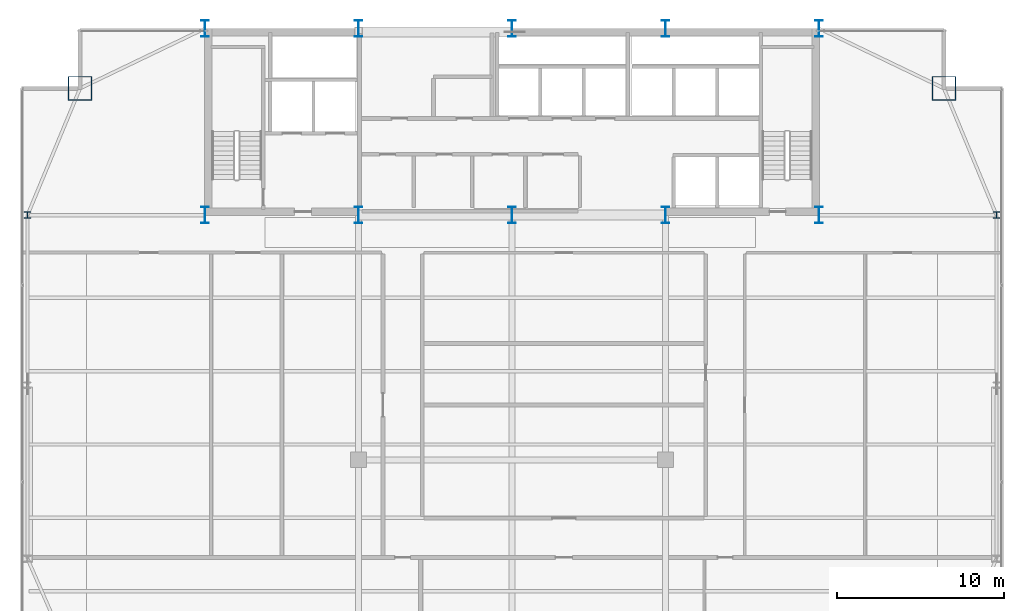
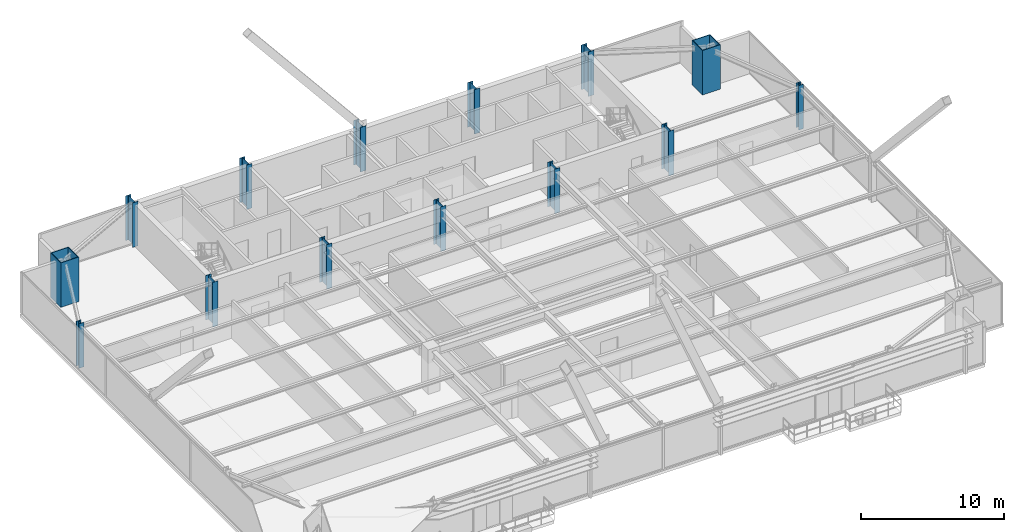
# One storey, part 2 of 37: 14 columns.
"""IFC4 building model written with IfcOpenShell, lengths in metres."""

import ifcopenshell
import ifcopenshell.guid

model = None  # the IFC model being written
_history = None  # IfcOwnerHistory: only IFC2X3 demands one
_inside = {}  # id of a spatial element -> (the spatial element, [elements in it])
_under = {}  # id of a project, library or spatial element -> (it, [spatial elements below it])
_declared = {}  # id of a project -> (the project, [libraries it declares])
_typed = {}  # id of a type object -> (the type object, [elements of that type])
_made_of = {}  # id of a material, layer set ... -> (it, [elements and type objects made of it])


def new_model(schema):
    """Start an empty IFC model of exactly this schema.

    Asked for "IFC4X3", IfcOpenShell would pick the latest addendum, in which some entities
    have other attributes; the version numbers below select the first issue.
    IFC2X3 requires an IfcOwnerHistory on every rooted entity: one is made here for all.
    """
    global model, _history
    if schema == "IFC4X3":
        model = ifcopenshell.file(schema_version=(4, 3, 0, 0))
    else:
        model = ifcopenshell.file(schema=schema)
    _inside.clear()
    _under.clear()
    _declared.clear()
    _typed.clear()
    _made_of.clear()
    _history = None
    if model.schema == "IFC2X3":
        org = make("IfcOrganization", Name="unknown")
        user = make(
            "IfcPersonAndOrganization",
            ThePerson=make("IfcPerson", FamilyName="unknown"),
            TheOrganization=org,
        )
        app = make(
            "IfcApplication",
            ApplicationDeveloper=org,
            Version="unknown",
            ApplicationFullName="unknown",
            ApplicationIdentifier="unknown",
        )
        _history = make(
            "IfcOwnerHistory",
            OwningUser=user,
            OwningApplication=app,
            ChangeAction="ADDED",
            CreationDate=0,
        )
    return model


def make(cls, **values):
    """One entity of the class cls with the attributes given. An attribute that is None is left unset."""
    return model.create_entity(
        cls, **{name: value for name, value in values.items() if value is not None}
    )


def rooted(cls, **values):
    """An entity with a GlobalId (a new one), such as an element, a storey or a relation."""
    return make(cls, GlobalId=ifcopenshell.guid.new(), OwnerHistory=_history, **values)


def si_unit(unit_type, name, prefix=None):
    """IfcSIUnit, for example si_unit("LENGTHUNIT", "METRE", prefix="MILLI")."""
    return make("IfcSIUnit", UnitType=unit_type, Prefix=prefix, Name=name)


def assignment(units):
    """IfcUnitAssignment: the units of a project."""
    return None if units is None else make("IfcUnitAssignment", Units=units)


def point(xyz):
    """IfcCartesianPoint."""
    return None if xyz is None else make("IfcCartesianPoint", Coordinates=xyz)


def direction(xyz):
    """IfcDirection."""
    return None if xyz is None else make("IfcDirection", DirectionRatios=xyz)


def frame(location, z_axis=None, x_axis=None):
    """IfcAxis2Placement3D, a coordinate frame: its origin and axes. An axis left out is left unset."""
    return make(
        "IfcAxis2Placement3D",
        Location=point(location),
        Axis=direction(z_axis),
        RefDirection=direction(x_axis),
    )


def frame_2d(location, x_axis=None):
    """IfcAxis2Placement2D, a coordinate frame in the plane: its origin and x axis."""
    return make(
        "IfcAxis2Placement2D", Location=point(location), RefDirection=direction(x_axis)
    )


def origin():
    """The frame at (0, 0, 0) with its axes left unset."""
    return frame((0.0, 0.0, 0.0))


def origin_2d():
    """The frame at (0, 0) in the plane with its x axis left unset."""
    return frame_2d((0.0, 0.0))


def place(relative_to, where):
    """IfcLocalPlacement: puts the frame where relative to a parent placement (None: the world)."""
    return make(
        "IfcLocalPlacement", PlacementRelTo=relative_to, RelativePlacement=where
    )


def context(
    kind, dimensions, precision=None, world=None, true_north=None, identifier=None
):
    """IfcGeometricRepresentationContext, for example the 3D "Model" context."""
    return make(
        "IfcGeometricRepresentationContext",
        ContextIdentifier=identifier,
        ContextType=kind,
        CoordinateSpaceDimension=dimensions,
        Precision=precision,
        WorldCoordinateSystem=world,
        TrueNorth=true_north,
    )


def subcontext(parent, identifier, kind, view, scale=None):
    """IfcGeometricRepresentationSubContext, for example "Body" below "Model"."""
    return make(
        "IfcGeometricRepresentationSubContext",
        ContextIdentifier=identifier,
        ContextType=kind,
        ParentContext=parent,
        TargetScale=scale,
        TargetView=view,
    )


def project(units=None, contexts=None):
    """IfcProject with its units and contexts."""
    return rooted(
        "IfcProject",
        Name="project",
        RepresentationContexts=contexts,
        UnitsInContext=assignment(units),
    )


def spatial(cls, under=None, at=None, **own):
    """A site, building, storey or space (cls), placed at a placement, below another one or the project."""
    s = rooted(cls, ObjectPlacement=at, **own)
    if under is not None:
        _under.setdefault(under.id(), (under, []))[1].append(s)
    return s


def profile(cls, at=None, kind="AREA", **sizes):
    """A parametric profile (cls). Its sizes go by their IFC names, for example OverallWidth=200.0."""
    return make(cls, ProfileType=kind, Position=at, **sizes)


def hollow_rectangle(**sizes):
    """IfcRectangleHollowProfileDef."""
    return profile("IfcRectangleHollowProfileDef", **sizes)


def i_section(**sizes):
    """IfcIShapeProfileDef."""
    return profile("IfcIShapeProfileDef", **sizes)


def extrude(swept, where, along, depth):
    """IfcExtrudedAreaSolid: the profile swept, set in the frame where, extruded along a direction by depth."""
    return make(
        "IfcExtrudedAreaSolid",
        SweptArea=swept,
        Position=where,
        ExtrudedDirection=direction(along),
        Depth=depth,
    )


def shape(context_of_items, identifier, shape_type, items):
    """IfcShapeRepresentation: the items that make up one representation, for example the "Body"."""
    return make(
        "IfcShapeRepresentation",
        ContextOfItems=context_of_items,
        RepresentationIdentifier=identifier,
        RepresentationType=shape_type,
        Items=items,
    )


def source(mapping_origin, context_of_items, identifier, shape_type, items):
    """IfcRepresentationMap: a shape defined once, which mapped items show again and again."""
    return make(
        "IfcRepresentationMap",
        MappingOrigin=mapping_origin,
        MappedRepresentation=shape(context_of_items, identifier, shape_type, items),
    )


def transform(
    local_origin,
    x_axis=None,
    y_axis=None,
    z_axis=None,
    scale=None,
    scale2=None,
    scale3=None,
    uniform=True,
):
    """IfcCartesianTransformationOperator3D, or its non-uniform kind. x_axis, y_axis, z_axis: its Axis1, 2, 3."""
    if uniform:
        return make(
            "IfcCartesianTransformationOperator3D",
            Axis1=direction(x_axis),
            Axis2=direction(y_axis),
            LocalOrigin=point(local_origin),
            Scale=scale,
            Axis3=direction(z_axis),
        )
    return make(
        "IfcCartesianTransformationOperator3DnonUniform",
        Axis1=direction(x_axis),
        Axis2=direction(y_axis),
        LocalOrigin=point(local_origin),
        Scale=scale,
        Axis3=direction(z_axis),
        Scale2=scale2,
        Scale3=scale3,
    )


def mapped(mapping_source, mapping_target):
    """IfcMappedItem: shows the shape of a source again, moved by a transform."""
    return make(
        "IfcMappedItem", MappingSource=mapping_source, MappingTarget=mapping_target
    )


def material(Name=None, Category=None):
    """IfcMaterial."""
    return make("IfcMaterial", Name=Name, Category=Category)


def material_profile(
    of_material, cross_section, Name=None, Category=None, Priority=None
):
    """IfcMaterialProfile: a cross section and its material."""
    return make(
        "IfcMaterialProfile",
        Name=Name,
        Material=of_material,
        Profile=cross_section,
        Priority=Priority,
        Category=Category,
    )


def profile_set(profiles, Name=None, composite=None):
    """IfcMaterialProfileSet."""
    return make(
        "IfcMaterialProfileSet",
        Name=Name,
        MaterialProfiles=profiles,
        CompositeProfile=composite,
    )


def made_of(thing, what):
    """Note that an element or type object is made of a material, layer set ...; save() writes the relation."""
    if what is not None:
        _made_of.setdefault(what.id(), (what, []))[1].append(thing)
    return thing


def type_object(cls, material=None, **own):
    """A type object (cls), such as IfcWallType, which elements share."""
    return made_of(rooted(cls, **own), material)


def type_shapes(of_type, sources):
    """Give a type object the sources (RepresentationMaps) that its elements show as mapped items."""
    of_type.RepresentationMaps = sources


def element(
    cls,
    number,
    at=None,
    inside=None,
    cuts=None,
    type_object=None,
    material=None,
    context=None,
    identifier="Body",
    shape_type=None,
    held_by="IfcProductDefinitionShape",
    body=None,
    shapes=None,
    **own,
):
    """One element of the class cls, such as IfcWall. Its Tag is "e" and its number.

    at: its placement. inside: the storey or other place that contains it. cuts: it is an
    opening in that element (IfcRelVoidsElement). A single representation is given by context,
    identifier, shape_type and body (its items); several are given by shapes. held_by: the class
    of the entity that holds the representations. save() writes the other relations.
    """
    e = rooted(cls, Tag="e%d" % number, ObjectPlacement=at, **own)
    if body is not None:
        shapes = [shape(context, identifier, shape_type, body)]
    if shapes is not None:
        e.Representation = make(held_by, Representations=shapes)
    if inside is not None:
        _inside.setdefault(inside.id(), (inside, []))[1].append(e)
    if cuts is not None:
        rooted(
            "IfcRelVoidsElement", RelatingBuildingElement=cuts, RelatedOpeningElement=e
        )
    if type_object is not None:
        _typed.setdefault(type_object.id(), (type_object, []))[1].append(e)
    return made_of(e, material)


def aggregate(whole, parts):
    """IfcRelAggregates: a whole, such as a stair, and the parts it consists of."""
    return rooted("IfcRelAggregates", RelatingObject=whole, RelatedObjects=parts)


def save(model, path):
    """Write the relations noted so far, then the file.

    IfcRelAggregates (storeys below a building ...), IfcRelContainedInSpatialStructure (elements
    in a storey), IfcRelDefinesByType, IfcRelAssociatesMaterial and IfcRelDeclares: one each for
    every whole, place, type object, material and project.
    """
    for whole, parts in _under.values():
        aggregate(whole, parts)
    for where, things in _inside.values():
        rooted(
            "IfcRelContainedInSpatialStructure",
            RelatedElements=things,
            RelatingStructure=where,
        )
    for kind, things in _typed.values():
        rooted("IfcRelDefinesByType", RelatedObjects=things, RelatingType=kind)
    for what, things in _made_of.values():
        rooted("IfcRelAssociatesMaterial", RelatedObjects=things, RelatingMaterial=what)
    for by, libraries in _declared.values():
        rooted("IfcRelDeclares", RelatingContext=by, RelatedDefinitions=libraries)
    model.write(path)


model = new_model("IFC4")

# Units and contexts
model_context = context("Model", 3, precision=1e-05, world=origin(), true_north=direction((0.0, 1.0)))
body_context = subcontext(model_context, "Body", "Model", "MODEL_VIEW")
ifc_project = project(units=[si_unit("LENGTHUNIT", "METRE"), si_unit("AREAUNIT", "SQUARE_METRE"), si_unit("VOLUMEUNIT", "CUBIC_METRE"), si_unit("PLANEANGLEUNIT", "RADIAN"), si_unit("MASSUNIT", "GRAM", prefix="KILO")], contexts=[model_context])

# Site, building, storey
site_placement = place(None, origin())
site = spatial("IfcSite", under=ifc_project, at=site_placement, CompositionType="ELEMENT")
building_placement = place(site_placement, origin())
building = spatial("IfcBuilding", under=site, at=building_placement, Name="Varnel Quay Broadcast Tower", CompositionType="ELEMENT")
storey_placement = place(building_placement, frame((0.0, 0.0, 125.800048828125)))
storey = spatial("IfcBuildingStorey", under=building, at=storey_placement, Name="L30", CompositionType="ELEMENT", Elevation=125.800048828125)

# Columns
ifc_material_1 = material(Name="Structural Steel CSA G40.21 350WT", Category="steel")
ifc_material_profile_1 = material_profile(ifc_material_1, i_section(OverallWidth=0.449951171875, OverallDepth=1.0, WebThickness=0.01611328125, FlangeThickness=0.030029296875, FilletRadius=0.01611328125, at=origin_2d()), Name="WWF1000X362")
ifc_profile_set_1 = profile_set([ifc_material_profile_1], Name="Structural Steel CSA G40.21 350WT")
column_type_1 = type_object("IfcColumnType", Name="Col_WWF1000X362", PredefinedType="COLUMN", material=ifc_profile_set_1)
shared_shape_1 = source(origin(), body_context, "Body", "SweptSolid", [
    extrude(i_section(OverallWidth=0.449951171875, OverallDepth=1.0, WebThickness=0.01611328125, FlangeThickness=0.030029296875, FilletRadius=0.01611328125, at=origin_2d()), origin(), (0.0, 0.0, 1.0), 3.800048828125),
])
type_shapes(column_type_1, [shared_shape_1])
for number, where, z_axis, x_axis, name in (
    (1, (15.60009765625, 35.60009765625, 0.0), (0.0, 0.0, 1.0), (1.0, 0.0, 0.0), "L30 Column CC-S1"),
    (2, (15.60009765625, 46.800048828125, 0.0), (0.0, 0.0, 1.0), (1.0, 0.0, 0.0), "L30 Column CC-N1"),
    (3, (24.800048828125, 35.60009765625, 0.0), (0.0, 0.0, 1.0), (1.0, 0.0, 0.0), "L30 Column CC-S2"),
    (4, (24.800048828125, 46.800048828125, 0.0), (0.0, 0.0, 1.0), (1.0, 0.0, 0.0), "L30 Column CC-N2"),
    (5, (34.0, 35.60009765625, 0.0), (0.0, 0.0, 1.0), (1.0, 0.0, 0.0), "L30 Column CC-S3"),
    (6, (34.0, 46.800048828125, 0.0), (0.0, 0.0, 1.0), (1.0, 0.0, 0.0), "L30 Column CC-N3"),
    (7, (43.199951171875, 35.60009765625, 0.0), (0.0, 0.0, 1.0), (1.0, 0.0, 0.0), "L30 Column CC-S4"),
    (8, (43.199951171875, 46.800048828125, 0.0), (0.0, 0.0, 1.0), (1.0, 0.0, 0.0), "L30 Column CC-N4"),
    (9, (52.39990234375, 35.60009765625, 0.0), (0.0, 0.0, 1.0), (1.0, 0.0, 0.0), "L30 Column CC-S5"),
    (10, (52.39990234375, 46.800048828125, 0.0), (0.0, 0.0, 1.0), (1.0, 0.0, 0.0), "L30 Column CC-N5"),
):
    element("IfcColumn", number, at=place(storey_placement, frame(where, z_axis=z_axis, x_axis=x_axis)), inside=storey, type_object=column_type_1, Name=name, PredefinedType="COLUMN", context=body_context, shape_type="MappedRepresentation", body=[
        mapped(shared_shape_1, transform((0.0, 0.0, 0.0), x_axis=(1.0, 0.0, 0.0), y_axis=(0.0, 1.0, 0.0), z_axis=(0.0, 0.0, 1.0), scale=1.0)),
    ])
ifc_material_profile_2 = material_profile(ifc_material_1, hollow_rectangle(XDim=1.449951171875, YDim=1.449951171875, WallThickness=0.054931640625, at=origin_2d()), Name="BOX1450X1450X55")
ifc_profile_set_2 = profile_set([ifc_material_profile_2], Name="Structural Steel CSA G40.21 350WT")
column_type_2 = type_object("IfcColumnType", Name="Col_BOX1450X1450X55", PredefinedType="COLUMN", material=ifc_profile_set_2)
shared_shape_2 = source(origin(), body_context, "Body", "SweptSolid", [
    extrude(hollow_rectangle(XDim=1.449951171875, YDim=1.449951171875, WallThickness=0.054931640625, at=origin_2d()), origin(), (0.0, 0.0, 1.0), 3.800048828125),
])
type_shapes(column_type_2, [shared_shape_2])
for number, where, z_axis, x_axis, name in (
    (11, (59.89990234375, 43.199951171875, 0.0), (0.0, 0.0, 1.0), (1.0, 0.0, 0.0), "L30 Column MC-NE"),
    (12, (8.10009765625, 43.199951171875, 0.0), (0.0, 0.0, 1.0), (1.0, 0.0, 0.0), "L30 Column MC-NW"),
):
    element("IfcColumn", number, at=place(storey_placement, frame(where, z_axis=z_axis, x_axis=x_axis)), inside=storey, type_object=column_type_2, Name=name, PredefinedType="COLUMN", context=body_context, shape_type="MappedRepresentation", body=[
        mapped(shared_shape_2, transform((0.0, 0.0, 0.0), x_axis=(1.0, 0.0, 0.0), y_axis=(0.0, 1.0, 0.0), z_axis=(0.0, 0.0, 1.0), scale=1.0)),
    ])
ifc_material_2 = material(Name="Structural Steel CSA G40.21 350W", Category="steel")
ifc_material_profile_3 = material_profile(ifc_material_2, i_section(OverallWidth=0.39794921875, OverallDepth=0.386962890625, WebThickness=0.02099609375, FlangeThickness=0.033203125, FilletRadius=0.01806640625, at=origin_2d()), Name="W360X262")
ifc_profile_set_3 = profile_set([ifc_material_profile_3], Name="Structural Steel CSA G40.21 350W")
column_type_3 = type_object("IfcColumnType", Name="Col_W360X262", PredefinedType="COLUMN", material=ifc_profile_set_3)
shared_shape_3 = source(origin(), body_context, "Body", "SweptSolid", [
    extrude(i_section(OverallWidth=0.39794921875, OverallDepth=0.386962890625, WebThickness=0.02099609375, FlangeThickness=0.033203125, FilletRadius=0.01806640625, at=origin_2d()), origin(), (0.0, 0.0, 1.0), 3.800048828125),
])
type_shapes(column_type_3, [shared_shape_3])
for number, where, z_axis, x_axis, name in (
    (13, (4.949951171875, 35.60009765625, 0.0), (0.0, 0.0, 1.0), (1.0, 0.0, 0.0), "L30 Column TC-W3"),
    (14, (63.050048828125, 35.60009765625, 0.0), (0.0, 0.0, 1.0), (1.0, 0.0, 0.0), "L30 Column TC-E3"),
):
    element("IfcColumn", number, at=place(storey_placement, frame(where, z_axis=z_axis, x_axis=x_axis)), inside=storey, type_object=column_type_3, Name=name, PredefinedType="COLUMN", context=body_context, shape_type="MappedRepresentation", body=[
        mapped(shared_shape_3, transform((0.0, 0.0, 0.0), x_axis=(1.0, 0.0, 0.0), y_axis=(0.0, 1.0, 0.0), z_axis=(0.0, 0.0, 1.0), scale=1.0)),
    ])

save(model, "model.ifc")
